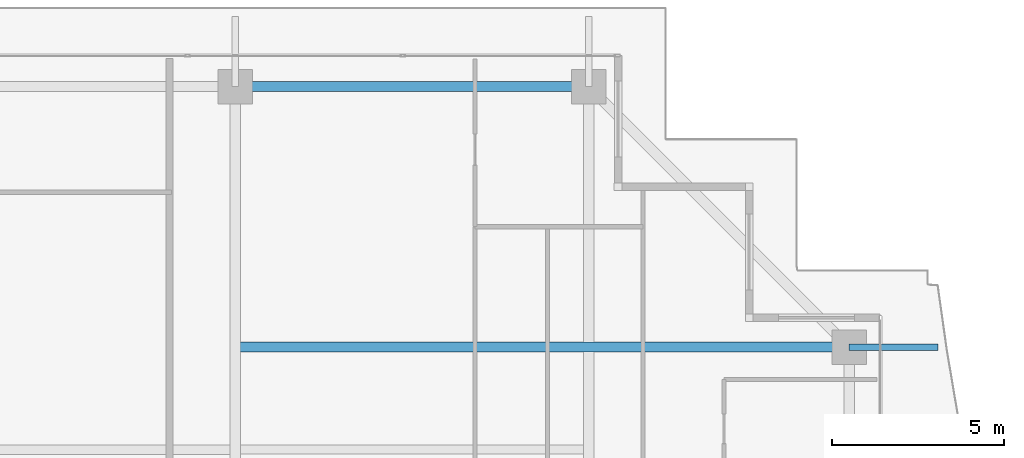
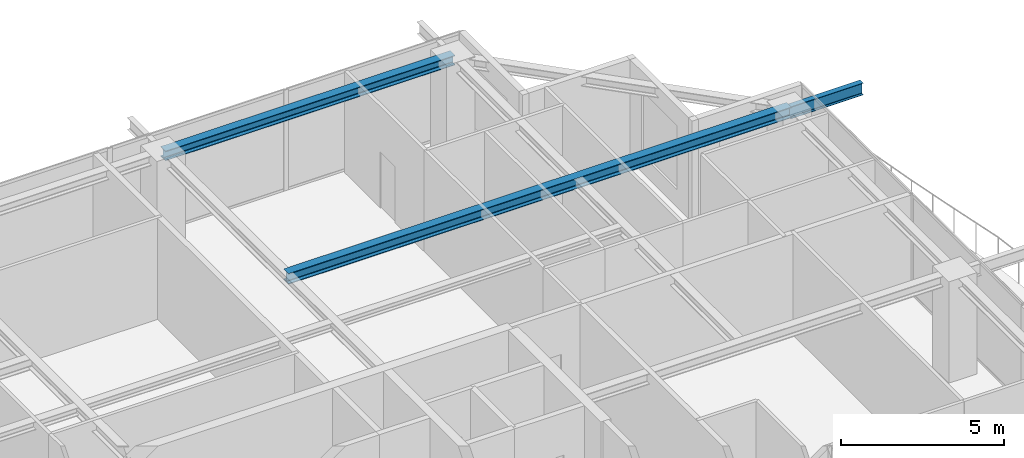
# One storey, part 27 of 42: 3 beams.
"""IFC4 building model written with IfcOpenShell, lengths in metres."""

from ifc_helpers import new_model, si_unit, direction, frame, origin, origin_2d, place, context, subcontext, project, spatial, i_section, extrude, source, transform, mapped, material, material_profile, profile_set, type_object, element, save


model = new_model("IFC4")

# Units and contexts
model_context = context("Model", 3, precision=1e-05, world=origin(), true_north=direction((0.0, 1.0)))
body_context = subcontext(model_context, "Body", "Model", "MODEL_VIEW")
ifc_project = project(units=[si_unit("LENGTHUNIT", "METRE"), si_unit("AREAUNIT", "SQUARE_METRE"), si_unit("VOLUMEUNIT", "CUBIC_METRE"), si_unit("PLANEANGLEUNIT", "RADIAN"), si_unit("MASSUNIT", "GRAM", prefix="KILO")], contexts=[model_context])

# Site, building, storey
site_placement = place(None, origin())
site = spatial("IfcSite", under=ifc_project, at=site_placement, CompositionType="ELEMENT")
building_placement = place(site_placement, origin())
building = spatial("IfcBuilding", under=site, at=building_placement, Name="Serunith Strait Residences", CompositionType="ELEMENT")
storey_placement = place(building_placement, frame((0.0, 0.0, 293.449951171875)))
storey = spatial("IfcBuildingStorey", under=building, at=storey_placement, Name="L73", CompositionType="ELEMENT", Elevation=293.449951171875)

# Beams
ifc_material = material(Name="Steel S355J2", Category="steel")
ifc_material_profile_1 = material_profile(ifc_material, i_section(OverallWidth=0.300048828125, OverallDepth=0.39990234375, WebThickness=0.013427734375, FlangeThickness=0.02392578125, FilletRadius=0.027099609375, at=origin_2d()), Name="HEB 400")
ifc_profile_set_1 = profile_set([ifc_material_profile_1], Name="Steel S355J2")
beam_type_1 = type_object("IfcBeamType", Name="BM-HEB400", PredefinedType="BEAM", material=ifc_profile_set_1)
shared_shape_1 = source(origin(), body_context, "Body", "SweptSolid", [
    extrude(i_section(OverallWidth=0.300048828125, OverallDepth=0.39990234375, WebThickness=0.013427734375, FlangeThickness=0.02392578125, FilletRadius=0.027099609375, at=origin_2d()), origin(), (0.0, 0.0, 1.0), 17.800048828125),
])
beam_1_placement = place(storey_placement, frame((36.89990234375, 39.550048828125, 3.587158203125), z_axis=(1.0, 0.0, 0.0), x_axis=(0.0, 1.0, 0.0)))
element("IfcBeam", 1, at=beam_1_placement, inside=storey, type_object=beam_type_1, Name="L73 Orthogonal Corner Girder TC-E4", PredefinedType="BEAM", context=body_context, shape_type="MappedRepresentation", body=[
    mapped(shared_shape_1, transform((0.0, 0.0, 0.0), scale=1.0)),
])
ifc_material_profile_2 = material_profile(ifc_material, i_section(OverallWidth=0.300048828125, OverallDepth=0.360107421875, WebThickness=0.012451171875, FlangeThickness=0.0224609375, FilletRadius=0.027099609375, at=origin_2d()), Name="HEB 360")
ifc_profile_set_2 = profile_set([ifc_material_profile_2], Name="Steel S355J2")
beam_type_2 = type_object("IfcBeamType", Name="BM-HEB360", PredefinedType="BEAM", material=ifc_profile_set_2)
shared_shape_2 = source(origin(), body_context, "Body", "SweptSolid", [
    extrude(i_section(OverallWidth=0.300048828125, OverallDepth=0.360107421875, WebThickness=0.012451171875, FlangeThickness=0.0224609375, FilletRadius=0.027099609375, at=origin_2d()), origin(), (0.0, 0.0, 1.0), 10.25),
])
beam_2_placement = place(storey_placement, frame((47.14990234375, 47.10009765625, 3.60693359375), z_axis=(-1.0, 0.0, 0.0), x_axis=(0.0, -1.0, 0.0)))
element("IfcBeam", 2, at=beam_2_placement, inside=storey, type_object=beam_type_2, Name="L73 Perimeter Ring Beam 09", PredefinedType="BEAM", context=body_context, shape_type="MappedRepresentation", body=[
    mapped(shared_shape_2, transform((0.0, 0.0, 0.0), scale=1.0)),
])
ifc_material_profile_3 = material_profile(ifc_material, i_section(OverallWidth=0.18994140625, OverallDepth=0.449951171875, WebThickness=0.009521484375, FlangeThickness=0.0146484375, FilletRadius=0.02099609375, at=origin_2d()), Name="IPE 450")
ifc_profile_set_3 = profile_set([ifc_material_profile_3], Name="Steel S355J2")
beam_type_3 = type_object("IfcBeamType", Name="BM-IPE450", PredefinedType="JOIST", material=ifc_profile_set_3)
shared_shape_3 = source(origin(), body_context, "Body", "SweptSolid", [
    extrude(i_section(OverallWidth=0.18994140625, OverallDepth=0.449951171875, WebThickness=0.009521484375, FlangeThickness=0.0146484375, FilletRadius=0.02099609375, at=origin_2d()), origin(), (0.0, 0.0, 1.0), 2.5732421875),
])
beam_3_placement = place(storey_placement, frame((54.699951171875, 39.550048828125, 3.531982421875), z_axis=(1.0, 0.0, 0.0), x_axis=(0.0, 1.0, 0.0)))
element("IfcBeam", 3, at=beam_3_placement, inside=storey, type_object=beam_type_3, Name="L74 Cantilevered Balcony Rib TC-E4", PredefinedType="JOIST", context=body_context, shape_type="MappedRepresentation", body=[
    mapped(shared_shape_3, transform((0.0, 0.0, 0.0), scale=1.0)),
])

save(model, "model.ifc")
